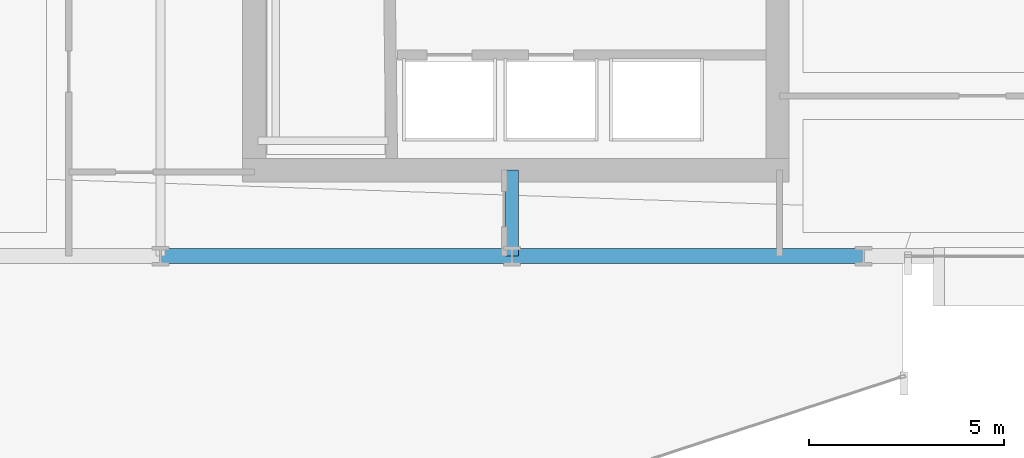
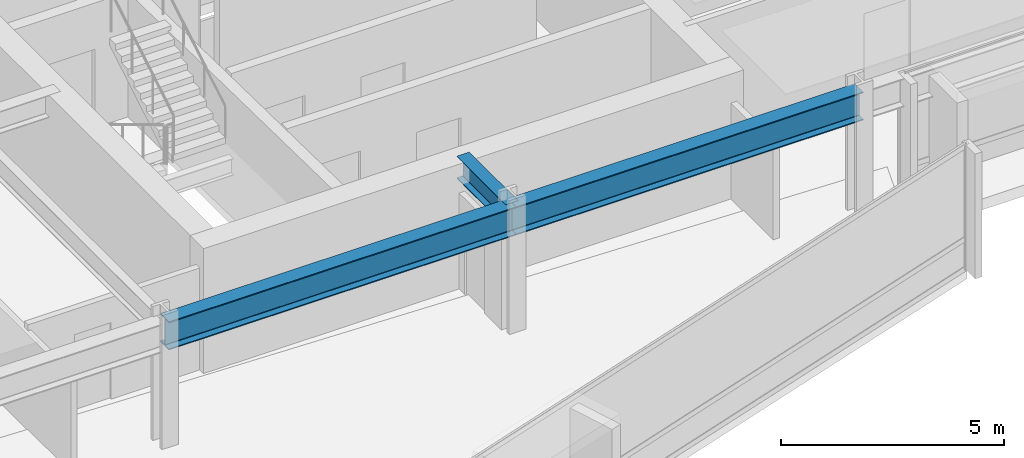
# One storey, part 11 of 34: 3 beams.
"""IFC4 building model written with IfcOpenShell, lengths in metres."""

from ifc_helpers import new_model, si_unit, direction, frame, origin, origin_2d, place, context, subcontext, project, spatial, i_section, extrude, material, material_profile, profile_set, type_object, element, save


model = new_model("IFC4")

# Units and contexts
model_context = context("Model", 3, precision=1e-05, world=origin(), true_north=direction((0.0, 1.0)))
body_context = subcontext(model_context, "Body", "Model", "MODEL_VIEW")
ifc_project = project(units=[si_unit("LENGTHUNIT", "METRE"), si_unit("AREAUNIT", "SQUARE_METRE"), si_unit("VOLUMEUNIT", "CUBIC_METRE"), si_unit("PLANEANGLEUNIT", "RADIAN"), si_unit("MASSUNIT", "GRAM", prefix="KILO")], contexts=[model_context])

# Site, building, storey
site_placement = place(None, origin())
site = spatial("IfcSite", under=ifc_project, at=site_placement, CompositionType="ELEMENT")
building_placement = place(site_placement, origin())
building = spatial("IfcBuilding", under=site, at=building_placement, Name="Solvaryn Broadcast Tower", CompositionType="ELEMENT")
storey_placement = place(building_placement, frame((0.0, 0.0, 50.800048828125)))
storey = spatial("IfcBuildingStorey", under=building, at=storey_placement, Name="L11", CompositionType="ELEMENT", Elevation=50.800048828125)

# Beams
ifc_material_1 = material(Name="Steel ASTM A992 Grade 50", Category="steel")
ifc_material_profile_1 = material_profile(ifc_material_1, i_section(OverallWidth=0.323974609375, OverallDepth=0.611083984375, WebThickness=0.0126953125, FlangeThickness=0.01904296875, FilletRadius=0.014892578125, at=origin_2d()))
ifc_profile_set_1 = profile_set([ifc_material_profile_1], Name="Steel ASTM A992 Grade 50")
beam_type_1 = type_object("IfcBeamType", Name="BM-B1-W24X104", PredefinedType="BEAM", material=ifc_profile_set_1)
beam_placement = place(storey_placement, frame((36.0, 9.0, 3.114501953125), z_axis=(0.0, 1.0, 0.0), x_axis=(-1.0, 0.0, 0.0)))
element("IfcBeam", 1, at=beam_placement, inside=storey, type_object=beam_type_1, Name="L11 Core Tie Beam CTE1", PredefinedType="BEAM", context=body_context, shape_type="SweptSolid", body=[
    extrude(i_section(OverallWidth=0.323974609375, OverallDepth=0.611083984375, WebThickness=0.0126953125, FlangeThickness=0.01904296875, FilletRadius=0.014892578125, at=origin_2d()), origin(), (0.0, 0.0, 1.0), 2.199951171875),
])
ifc_material_2 = material(Name="Steel ASTM A992 Grade 50", Category="steel")
ifc_material_profile_2 = material_profile(ifc_material_2, i_section(OverallWidth=0.381103515625, OverallDepth=0.77294921875, WebThickness=0.0166015625, FlangeThickness=0.027099609375, FilletRadius=0.01806640625, at=origin_2d()))
ifc_profile_set_2 = profile_set([ifc_material_profile_2], Name="Steel ASTM A992 Grade 50")
beam_type_2 = type_object("IfcBeamType", Name="BM-SP1-W30X173", PredefinedType="USERDEFINED", material=ifc_profile_set_2)
for number, where, z_axis, x_axis, name in (
    (2, (27.0, 9.0, 3.033447265625), (1.0, 0.0, 0.0), (0.0, 1.0, 0.0), "L11 Spandrel Beam X (27-36 @ Y=9)"),
    (3, (36.0, 9.0, 3.033447265625), (1.0, 0.0, 0.0), (0.0, 1.0, 0.0), "L11 Spandrel Beam X (36-45 @ Y=9)"),
):
    element("IfcBeam", number, at=place(storey_placement, frame(where, z_axis=z_axis, x_axis=x_axis)), inside=storey, type_object=beam_type_2, Name=name, ObjectType="SPANDREL", PredefinedType="USERDEFINED", context=body_context, shape_type="SweptSolid", body=[
        extrude(i_section(OverallWidth=0.381103515625, OverallDepth=0.77294921875, WebThickness=0.0166015625, FlangeThickness=0.027099609375, FilletRadius=0.01806640625, at=origin_2d()), origin(), (0.0, 0.0, 1.0), 9.0),
    ])

save(model, "model.ifc")
